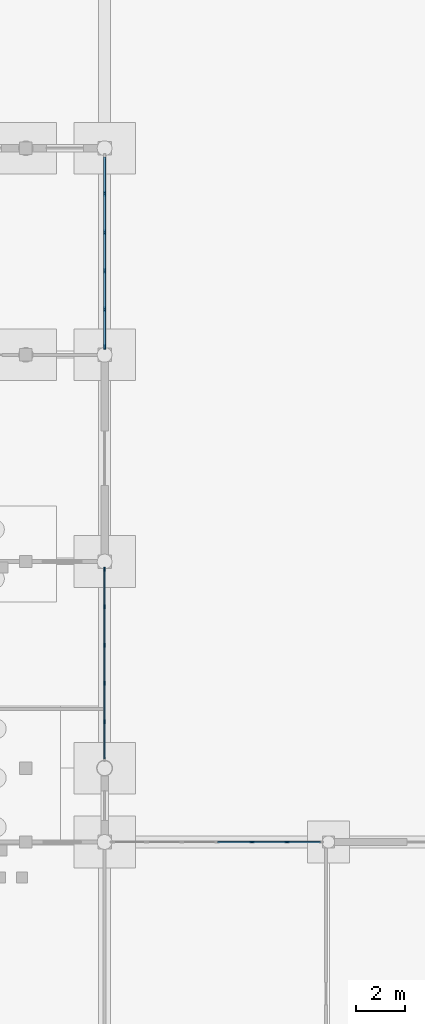
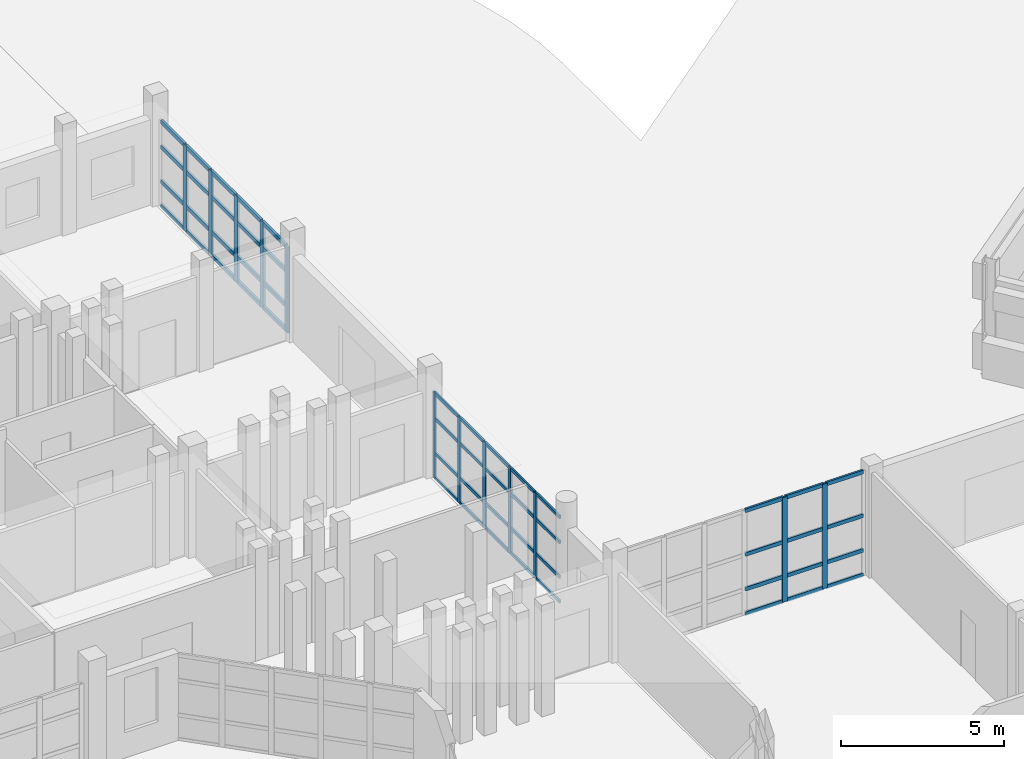
# One storey, part 34 of 88: 64 members, 3 elements without a shape of their own.
"""IFC4 building model written with IfcOpenShell, lengths in metres."""

from ifc_helpers import new_model, si_unit, direction, frame, origin, origin_2d, place, context, subcontext, project, spatial, rectangle, extrude, material, material_profile, profile_set, type_object, element, aggregate, save


model = new_model("IFC4")

# Units and contexts
model_context = context("Model", 3, precision=1e-05, world=origin(), true_north=direction((0.0, 1.0)))
body_context = subcontext(model_context, "Body", "Model", "MODEL_VIEW")
ifc_project = project(units=[si_unit("LENGTHUNIT", "METRE"), si_unit("AREAUNIT", "SQUARE_METRE"), si_unit("VOLUMEUNIT", "CUBIC_METRE"), si_unit("PLANEANGLEUNIT", "RADIAN"), si_unit("MASSUNIT", "GRAM", prefix="KILO")], contexts=[model_context])

# Site, building, storey
site_placement = place(None, origin())
site = spatial("IfcSite", under=ifc_project, at=site_placement, CompositionType="ELEMENT")
building_placement = place(site_placement, origin())
building = spatial("IfcBuilding", under=site, at=building_placement, Name="Vanh Quang Courtyard School", CompositionType="ELEMENT")
storey_placement = place(building_placement, origin())
storey = spatial("IfcBuildingStorey", under=building, at=storey_placement, Name="L00", CompositionType="ELEMENT", Elevation=0.0)

# Curtain wall, members
ifc_material_1 = material(Name="Thermally broken aluminium unitised curtain wall", Category="aluminium")
curtain_wall_type_1 = type_object("IfcCurtainWallType", Name="CW-SYS-01", PredefinedType="NOTDEFINED", material=ifc_material_1)
curtain_wall_1_placement = place(storey_placement, origin())
curtain_wall_1 = element("IfcCurtainWall", 1, at=curtain_wall_1_placement, inside=storey, type_object=curtain_wall_type_1, Name="Curtain Wall CW-01 (L00)", PredefinedType="NOTDEFINED")
ifc_material_2 = material(Name="Anodised aluminium 6063-T6", Category="aluminium")
ifc_material_profile_1 = material_profile(ifc_material_2, rectangle(XDim=0.06005859375, YDim=0.159912109375, at=origin_2d()), Name="ALU-MUL 60x160")
ifc_profile_set_1 = profile_set([ifc_material_profile_1], Name="Anodised aluminium 6063-T6")
member_type_1 = type_object("IfcMemberType", Name="CW-MUL-60x160", PredefinedType="MULLION", material=ifc_profile_set_1)
member_1_placement = place(storey_placement, frame((119.39990234375, 79.487060546875, 0.0), z_axis=(0.0, 0.0, 1.0), x_axis=(1.0, 0.0, 0.0)))
member_1 = element("IfcMember", 2, at=member_1_placement, type_object=member_type_1, Name="CW-01 mullion 1", PredefinedType="MULLION", context=body_context, shape_type="SweptSolid", body=[
    extrude(rectangle(XDim=0.06005859375, YDim=0.159912109375, at=origin_2d()), origin(), (0.0, 0.0, 1.0), 3.219970703125),
])
member_2_placement = place(storey_placement, frame((119.39990234375, 77.960205078125, 0.0), z_axis=(0.0, 0.0, 1.0), x_axis=(1.0, 0.0, 0.0)))
member_2 = element("IfcMember", 3, at=member_2_placement, type_object=member_type_1, Name="CW-01 mullion 2", PredefinedType="MULLION", context=body_context, shape_type="SweptSolid", body=[
    extrude(rectangle(XDim=0.06005859375, YDim=0.159912109375, at=origin_2d()), origin(), (0.0, 0.0, 1.0), 3.219970703125),
])
member_3_placement = place(storey_placement, frame((119.39990234375, 76.4033203125, 0.0), z_axis=(0.0, 0.0, 1.0), x_axis=(1.0, 0.0, 0.0)))
member_3 = element("IfcMember", 4, at=member_3_placement, type_object=member_type_1, Name="CW-01 mullion 3", PredefinedType="MULLION", context=body_context, shape_type="SweptSolid", body=[
    extrude(rectangle(XDim=0.06005859375, YDim=0.159912109375, at=origin_2d()), origin(), (0.0, 0.0, 1.0), 3.219970703125),
])
member_4_placement = place(storey_placement, frame((119.39990234375, 74.8466796875, 0.0), z_axis=(0.0, 0.0, 1.0), x_axis=(1.0, 0.0, 0.0)))
member_4 = element("IfcMember", 5, at=member_4_placement, type_object=member_type_1, Name="CW-01 mullion 4", PredefinedType="MULLION", context=body_context, shape_type="SweptSolid", body=[
    extrude(rectangle(XDim=0.06005859375, YDim=0.159912109375, at=origin_2d()), origin(), (0.0, 0.0, 1.0), 3.219970703125),
])
member_5_placement = place(storey_placement, frame((119.39990234375, 73.289794921875, 0.0), z_axis=(0.0, 0.0, 1.0), x_axis=(1.0, 0.0, 0.0)))
member_5 = element("IfcMember", 6, at=member_5_placement, type_object=member_type_1, Name="CW-01 mullion 5", PredefinedType="MULLION", context=body_context, shape_type="SweptSolid", body=[
    extrude(rectangle(XDim=0.06005859375, YDim=0.159912109375, at=origin_2d()), origin(), (0.0, 0.0, 1.0), 3.219970703125),
])

curtain_wall_type_2 = type_object("IfcCurtainWallType", Name="CW-SYS-03", PredefinedType="NOTDEFINED", material=ifc_material_1)
curtain_wall_2_placement = place(storey_placement, origin())
curtain_wall_2 = element("IfcCurtainWall", 7, at=curtain_wall_2_placement, inside=storey, type_object=curtain_wall_type_2, Name="Curtain Wall CW-03 (L00)", PredefinedType="NOTDEFINED")
ifc_material_profile_2 = material_profile(ifc_material_2, rectangle(XDim=0.070068359375, YDim=0.179931640625, at=origin_2d()), Name="ALU-MUL 70x180")
ifc_profile_set_2 = profile_set([ifc_material_profile_2], Name="Anodised aluminium 6063-T6")
member_type_2 = type_object("IfcMemberType", Name="CW-MUL-70x180", PredefinedType="MULLION", material=ifc_profile_set_2)
member_6_placement = place(storey_placement, frame((125.388916015625, 68.39990234375, 0.0), z_axis=(0.0, 0.0, 1.0), x_axis=(0.0, 1.0, 0.0)))
member_6 = element("IfcMember", 8, at=member_6_placement, type_object=member_type_2, Name="CW-03 mullion 5", PredefinedType="MULLION", context=body_context, shape_type="SweptSolid", body=[
    extrude(rectangle(XDim=0.070068359375, YDim=0.179931640625, at=origin_2d()), origin(), (0.0, 0.0, 1.0), 3.919921875),
])
member_7_placement = place(storey_placement, frame((126.8154296875, 68.39990234375, 0.0), z_axis=(0.0, 0.0, 1.0), x_axis=(0.0, 1.0, 0.0)))
member_7 = element("IfcMember", 9, at=member_7_placement, type_object=member_type_2, Name="CW-03 mullion 6", PredefinedType="MULLION", context=body_context, shape_type="SweptSolid", body=[
    extrude(rectangle(XDim=0.070068359375, YDim=0.179931640625, at=origin_2d()), origin(), (0.0, 0.0, 1.0), 3.919921875),
])

curtain_wall_3_placement = place(storey_placement, origin())
curtain_wall_3 = element("IfcCurtainWall", 10, at=curtain_wall_3_placement, inside=storey, type_object=curtain_wall_type_1, Name="Curtain Wall CW-01 (L00)", PredefinedType="NOTDEFINED")
ifc_material_profile_3 = material_profile(ifc_material_2, rectangle(XDim=0.080078125, YDim=0.199951171875, at=origin_2d()), Name="ALU-MUL 80x200")
ifc_profile_set_3 = profile_set([ifc_material_profile_3], Name="Anodised aluminium 6063-T6")
member_type_3 = type_object("IfcMemberType", Name="CW-MUL-80x200", PredefinedType="MULLION", material=ifc_profile_set_3)
member_8_placement = place(storey_placement, frame((119.39990234375, 94.750244140625, 0.0), z_axis=(0.0, 0.0, 1.0), x_axis=(1.0, 0.0, 0.0)))
member_8 = element("IfcMember", 11, at=member_8_placement, type_object=member_type_3, Name="CW-01 mullion 2", PredefinedType="MULLION", context=body_context, shape_type="SweptSolid", body=[
    extrude(rectangle(XDim=0.080078125, YDim=0.199951171875, at=origin_2d()), origin(), (0.0, 0.0, 1.0), 3.219970703125),
])
member_9_placement = place(storey_placement, frame((119.39990234375, 93.183349609375, 0.0), z_axis=(0.0, 0.0, 1.0), x_axis=(1.0, 0.0, 0.0)))
member_9 = element("IfcMember", 12, at=member_9_placement, type_object=member_type_3, Name="CW-01 mullion 3", PredefinedType="MULLION", context=body_context, shape_type="SweptSolid", body=[
    extrude(rectangle(XDim=0.080078125, YDim=0.199951171875, at=origin_2d()), origin(), (0.0, 0.0, 1.0), 3.219970703125),
])
member_10_placement = place(storey_placement, frame((119.39990234375, 91.61669921875, 0.0), z_axis=(0.0, 0.0, 1.0), x_axis=(1.0, 0.0, 0.0)))
member_10 = element("IfcMember", 13, at=member_10_placement, type_object=member_type_3, Name="CW-01 mullion 4", PredefinedType="MULLION", context=body_context, shape_type="SweptSolid", body=[
    extrude(rectangle(XDim=0.080078125, YDim=0.199951171875, at=origin_2d()), origin(), (0.0, 0.0, 1.0), 3.219970703125),
])
member_11_placement = place(storey_placement, frame((119.39990234375, 90.0498046875, 0.0), z_axis=(0.0, 0.0, 1.0), x_axis=(1.0, 0.0, 0.0)))
member_11 = element("IfcMember", 14, at=member_11_placement, type_object=member_type_3, Name="CW-01 mullion 5", PredefinedType="MULLION", context=body_context, shape_type="SweptSolid", body=[
    extrude(rectangle(XDim=0.080078125, YDim=0.199951171875, at=origin_2d()), origin(), (0.0, 0.0, 1.0), 3.219970703125),
])
member_12_placement = place(storey_placement, frame((119.39990234375, 88.52294921875, 0.0), z_axis=(0.0, 0.0, 1.0), x_axis=(1.0, 0.0, 0.0)))
member_12 = element("IfcMember", 15, at=member_12_placement, type_object=member_type_3, Name="CW-01 mullion 6", PredefinedType="MULLION", context=body_context, shape_type="SweptSolid", body=[
    extrude(rectangle(XDim=0.080078125, YDim=0.199951171875, at=origin_2d()), origin(), (0.0, 0.0, 1.0), 3.219970703125),
])

# Member
ifc_material_profile_4 = material_profile(ifc_material_2, rectangle(XDim=0.06005859375, YDim=0.1201171875, at=origin_2d()), Name="ALU-TRN 60x120")
ifc_profile_set_4 = profile_set([ifc_material_profile_4], Name="Anodised aluminium 6063-T6")
member_type_4 = type_object("IfcMemberType", Name="CW-TRN-60x120", PredefinedType="USERDEFINED", material=ifc_profile_set_4)
member_13_placement = place(storey_placement, frame((119.39990234375, 79.45703125, 0.030029296875), z_axis=(0.0, -1.0, 0.0), x_axis=(1.0, 0.0, 0.0)))
member_13 = element("IfcMember", 16, at=member_13_placement, type_object=member_type_4, Name="CW-01 transom 1.1", ObjectType="TRANSOM", PredefinedType="USERDEFINED", context=body_context, shape_type="SweptSolid", body=[
    extrude(rectangle(XDim=0.06005859375, YDim=0.1201171875, at=origin_2d()), origin(), (0.0, 0.0, 1.0), 1.466796875),
])

member_14_placement = place(storey_placement, frame((119.39990234375, 79.45703125, 0.949951171875), z_axis=(0.0, -1.0, 0.0), x_axis=(1.0, 0.0, 0.0)))
member_14 = element("IfcMember", 17, at=member_14_placement, type_object=member_type_4, Name="CW-01 transom 1.2", ObjectType="TRANSOM", PredefinedType="USERDEFINED", context=body_context, shape_type="SweptSolid", body=[
    extrude(rectangle(XDim=0.06005859375, YDim=0.1201171875, at=origin_2d()), origin(), (0.0, 0.0, 1.0), 1.466796875),
])

member_15_placement = place(storey_placement, frame((119.39990234375, 79.45703125, 2.25), z_axis=(0.0, -1.0, 0.0), x_axis=(1.0, 0.0, 0.0)))
member_15 = element("IfcMember", 18, at=member_15_placement, type_object=member_type_4, Name="CW-01 transom 1.3", ObjectType="TRANSOM", PredefinedType="USERDEFINED", context=body_context, shape_type="SweptSolid", body=[
    extrude(rectangle(XDim=0.06005859375, YDim=0.1201171875, at=origin_2d()), origin(), (0.0, 0.0, 1.0), 1.466796875),
])

member_16_placement = place(storey_placement, frame((119.39990234375, 79.45703125, 3.18994140625), z_axis=(0.0, -1.0, 0.0), x_axis=(1.0, 0.0, 0.0)))
member_16 = element("IfcMember", 19, at=member_16_placement, type_object=member_type_4, Name="CW-01 transom 1.4", ObjectType="TRANSOM", PredefinedType="USERDEFINED", context=body_context, shape_type="SweptSolid", body=[
    extrude(rectangle(XDim=0.06005859375, YDim=0.1201171875, at=origin_2d()), origin(), (0.0, 0.0, 1.0), 1.466796875),
])

member_17_placement = place(storey_placement, frame((119.39990234375, 77.93017578125, 0.030029296875), z_axis=(0.0, -1.0, 0.0), x_axis=(1.0, 0.0, 0.0)))
member_17 = element("IfcMember", 20, at=member_17_placement, type_object=member_type_4, Name="CW-01 transom 2.1", ObjectType="TRANSOM", PredefinedType="USERDEFINED", context=body_context, shape_type="SweptSolid", body=[
    extrude(rectangle(XDim=0.06005859375, YDim=0.1201171875, at=origin_2d()), origin(), (0.0, 0.0, 1.0), 1.496826171875),
])

member_18_placement = place(storey_placement, frame((119.39990234375, 77.93017578125, 0.949951171875), z_axis=(0.0, -1.0, 0.0), x_axis=(1.0, 0.0, 0.0)))
member_18 = element("IfcMember", 21, at=member_18_placement, type_object=member_type_4, Name="CW-01 transom 2.2", ObjectType="TRANSOM", PredefinedType="USERDEFINED", context=body_context, shape_type="SweptSolid", body=[
    extrude(rectangle(XDim=0.06005859375, YDim=0.1201171875, at=origin_2d()), origin(), (0.0, 0.0, 1.0), 1.496826171875),
])

member_19_placement = place(storey_placement, frame((119.39990234375, 77.93017578125, 2.25), z_axis=(0.0, -1.0, 0.0), x_axis=(1.0, 0.0, 0.0)))
member_19 = element("IfcMember", 22, at=member_19_placement, type_object=member_type_4, Name="CW-01 transom 2.3", ObjectType="TRANSOM", PredefinedType="USERDEFINED", context=body_context, shape_type="SweptSolid", body=[
    extrude(rectangle(XDim=0.06005859375, YDim=0.1201171875, at=origin_2d()), origin(), (0.0, 0.0, 1.0), 1.496826171875),
])

member_20_placement = place(storey_placement, frame((119.39990234375, 77.93017578125, 3.18994140625), z_axis=(0.0, -1.0, 0.0), x_axis=(1.0, 0.0, 0.0)))
member_20 = element("IfcMember", 23, at=member_20_placement, type_object=member_type_4, Name="CW-01 transom 2.4", ObjectType="TRANSOM", PredefinedType="USERDEFINED", context=body_context, shape_type="SweptSolid", body=[
    extrude(rectangle(XDim=0.06005859375, YDim=0.1201171875, at=origin_2d()), origin(), (0.0, 0.0, 1.0), 1.496826171875),
])

member_21_placement = place(storey_placement, frame((119.39990234375, 76.373291015625, 0.030029296875), z_axis=(0.0, -1.0, 0.0), x_axis=(1.0, 0.0, 0.0)))
member_21 = element("IfcMember", 24, at=member_21_placement, type_object=member_type_4, Name="CW-01 transom 3.1", ObjectType="TRANSOM", PredefinedType="USERDEFINED", context=body_context, shape_type="SweptSolid", body=[
    extrude(rectangle(XDim=0.06005859375, YDim=0.1201171875, at=origin_2d()), origin(), (0.0, 0.0, 1.0), 1.49658203125),
])

member_22_placement = place(storey_placement, frame((119.39990234375, 76.373291015625, 0.949951171875), z_axis=(0.0, -1.0, 0.0), x_axis=(1.0, 0.0, 0.0)))
member_22 = element("IfcMember", 25, at=member_22_placement, type_object=member_type_4, Name="CW-01 transom 3.2", ObjectType="TRANSOM", PredefinedType="USERDEFINED", context=body_context, shape_type="SweptSolid", body=[
    extrude(rectangle(XDim=0.06005859375, YDim=0.1201171875, at=origin_2d()), origin(), (0.0, 0.0, 1.0), 1.49658203125),
])

member_23_placement = place(storey_placement, frame((119.39990234375, 76.373291015625, 2.25), z_axis=(0.0, -1.0, 0.0), x_axis=(1.0, 0.0, 0.0)))
member_23 = element("IfcMember", 26, at=member_23_placement, type_object=member_type_4, Name="CW-01 transom 3.3", ObjectType="TRANSOM", PredefinedType="USERDEFINED", context=body_context, shape_type="SweptSolid", body=[
    extrude(rectangle(XDim=0.06005859375, YDim=0.1201171875, at=origin_2d()), origin(), (0.0, 0.0, 1.0), 1.49658203125),
])

member_24_placement = place(storey_placement, frame((119.39990234375, 76.373291015625, 3.18994140625), z_axis=(0.0, -1.0, 0.0), x_axis=(1.0, 0.0, 0.0)))
member_24 = element("IfcMember", 27, at=member_24_placement, type_object=member_type_4, Name="CW-01 transom 3.4", ObjectType="TRANSOM", PredefinedType="USERDEFINED", context=body_context, shape_type="SweptSolid", body=[
    extrude(rectangle(XDim=0.06005859375, YDim=0.1201171875, at=origin_2d()), origin(), (0.0, 0.0, 1.0), 1.49658203125),
])

member_25_placement = place(storey_placement, frame((119.39990234375, 74.816650390625, 0.030029296875), z_axis=(0.0, -1.0, 0.0), x_axis=(1.0, 0.0, 0.0)))
member_25 = element("IfcMember", 28, at=member_25_placement, type_object=member_type_4, Name="CW-01 transom 4.1", ObjectType="TRANSOM", PredefinedType="USERDEFINED", context=body_context, shape_type="SweptSolid", body=[
    extrude(rectangle(XDim=0.06005859375, YDim=0.1201171875, at=origin_2d()), origin(), (0.0, 0.0, 1.0), 1.496826171875),
])

member_26_placement = place(storey_placement, frame((119.39990234375, 74.816650390625, 0.949951171875), z_axis=(0.0, -1.0, 0.0), x_axis=(1.0, 0.0, 0.0)))
member_26 = element("IfcMember", 29, at=member_26_placement, type_object=member_type_4, Name="CW-01 transom 4.2", ObjectType="TRANSOM", PredefinedType="USERDEFINED", context=body_context, shape_type="SweptSolid", body=[
    extrude(rectangle(XDim=0.06005859375, YDim=0.1201171875, at=origin_2d()), origin(), (0.0, 0.0, 1.0), 1.496826171875),
])

member_27_placement = place(storey_placement, frame((119.39990234375, 74.816650390625, 2.25), z_axis=(0.0, -1.0, 0.0), x_axis=(1.0, 0.0, 0.0)))
member_27 = element("IfcMember", 30, at=member_27_placement, type_object=member_type_4, Name="CW-01 transom 4.3", ObjectType="TRANSOM", PredefinedType="USERDEFINED", context=body_context, shape_type="SweptSolid", body=[
    extrude(rectangle(XDim=0.06005859375, YDim=0.1201171875, at=origin_2d()), origin(), (0.0, 0.0, 1.0), 1.496826171875),
])

member_28_placement = place(storey_placement, frame((119.39990234375, 74.816650390625, 3.18994140625), z_axis=(0.0, -1.0, 0.0), x_axis=(1.0, 0.0, 0.0)))
member_28 = element("IfcMember", 31, at=member_28_placement, type_object=member_type_4, Name="CW-01 transom 4.4", ObjectType="TRANSOM", PredefinedType="USERDEFINED", context=body_context, shape_type="SweptSolid", body=[
    extrude(rectangle(XDim=0.06005859375, YDim=0.1201171875, at=origin_2d()), origin(), (0.0, 0.0, 1.0), 1.496826171875),
])

member_29_placement = place(storey_placement, frame((119.39990234375, 73.259765625, 0.030029296875), z_axis=(0.0, -1.0, 0.0), x_axis=(1.0, 0.0, 0.0)))
member_29 = element("IfcMember", 32, at=member_29_placement, type_object=member_type_4, Name="CW-01 transom 5.1", ObjectType="TRANSOM", PredefinedType="USERDEFINED", context=body_context, shape_type="SweptSolid", body=[
    extrude(rectangle(XDim=0.06005859375, YDim=0.1201171875, at=origin_2d()), origin(), (0.0, 0.0, 1.0), 1.466796875),
])

member_30_placement = place(storey_placement, frame((119.39990234375, 73.259765625, 0.949951171875), z_axis=(0.0, -1.0, 0.0), x_axis=(1.0, 0.0, 0.0)))
member_30 = element("IfcMember", 33, at=member_30_placement, type_object=member_type_4, Name="CW-01 transom 5.2", ObjectType="TRANSOM", PredefinedType="USERDEFINED", context=body_context, shape_type="SweptSolid", body=[
    extrude(rectangle(XDim=0.06005859375, YDim=0.1201171875, at=origin_2d()), origin(), (0.0, 0.0, 1.0), 1.466796875),
])

member_31_placement = place(storey_placement, frame((119.39990234375, 73.259765625, 2.25), z_axis=(0.0, -1.0, 0.0), x_axis=(1.0, 0.0, 0.0)))
member_31 = element("IfcMember", 34, at=member_31_placement, type_object=member_type_4, Name="CW-01 transom 5.3", ObjectType="TRANSOM", PredefinedType="USERDEFINED", context=body_context, shape_type="SweptSolid", body=[
    extrude(rectangle(XDim=0.06005859375, YDim=0.1201171875, at=origin_2d()), origin(), (0.0, 0.0, 1.0), 1.466796875),
])

member_32_placement = place(storey_placement, frame((119.39990234375, 73.259765625, 3.18994140625), z_axis=(0.0, -1.0, 0.0), x_axis=(1.0, 0.0, 0.0)))
member_32 = element("IfcMember", 35, at=member_32_placement, type_object=member_type_4, Name="CW-01 transom 5.4", ObjectType="TRANSOM", PredefinedType="USERDEFINED", context=body_context, shape_type="SweptSolid", body=[
    extrude(rectangle(XDim=0.06005859375, YDim=0.1201171875, at=origin_2d()), origin(), (0.0, 0.0, 1.0), 1.466796875),
])

aggregate(curtain_wall_1, [member_1, member_2, member_3, member_4, member_5, member_13, member_14, member_15, member_16, member_17, member_18, member_19, member_20, member_21, member_22, member_23, member_24, member_25, member_26, member_27, member_28, member_29, member_30, member_31, member_32])

ifc_material_profile_5 = material_profile(ifc_material_2, rectangle(XDim=0.070068359375, YDim=0.139892578125, at=origin_2d()), Name="ALU-TRN 70x140")
ifc_profile_set_5 = profile_set([ifc_material_profile_5], Name="Anodised aluminium 6063-T6")
member_type_5 = type_object("IfcMemberType", Name="CW-TRN-70x140", PredefinedType="USERDEFINED", material=ifc_profile_set_5)
member_33_placement = place(storey_placement, frame((123.99755859375, 68.39990234375, 0.034912109375), z_axis=(1.0, 0.0, 0.0), x_axis=(0.0, 1.0, 0.0)))
member_33 = element("IfcMember", 36, at=member_33_placement, type_object=member_type_5, Name="CW-03 transom 4.1", ObjectType="TRANSOM", PredefinedType="USERDEFINED", context=body_context, shape_type="SweptSolid", body=[
    extrude(rectangle(XDim=0.070068359375, YDim=0.139892578125, at=origin_2d()), origin(), (0.0, 0.0, 1.0), 1.3564453125),
])

member_34_placement = place(storey_placement, frame((123.99755859375, 68.39990234375, 0.949951171875), z_axis=(1.0, 0.0, 0.0), x_axis=(0.0, 1.0, 0.0)))
member_34 = element("IfcMember", 37, at=member_34_placement, type_object=member_type_5, Name="CW-03 transom 4.2", ObjectType="TRANSOM", PredefinedType="USERDEFINED", context=body_context, shape_type="SweptSolid", body=[
    extrude(rectangle(XDim=0.070068359375, YDim=0.139892578125, at=origin_2d()), origin(), (0.0, 0.0, 1.0), 1.3564453125),
])

member_35_placement = place(storey_placement, frame((123.99755859375, 68.39990234375, 2.25), z_axis=(1.0, 0.0, 0.0), x_axis=(0.0, 1.0, 0.0)))
member_35 = element("IfcMember", 38, at=member_35_placement, type_object=member_type_5, Name="CW-03 transom 4.3", ObjectType="TRANSOM", PredefinedType="USERDEFINED", context=body_context, shape_type="SweptSolid", body=[
    extrude(rectangle(XDim=0.070068359375, YDim=0.139892578125, at=origin_2d()), origin(), (0.0, 0.0, 1.0), 1.3564453125),
])

member_36_placement = place(storey_placement, frame((123.99755859375, 68.39990234375, 3.885009765625), z_axis=(1.0, 0.0, 0.0), x_axis=(0.0, 1.0, 0.0)))
member_36 = element("IfcMember", 39, at=member_36_placement, type_object=member_type_5, Name="CW-03 transom 4.4", ObjectType="TRANSOM", PredefinedType="USERDEFINED", context=body_context, shape_type="SweptSolid", body=[
    extrude(rectangle(XDim=0.070068359375, YDim=0.139892578125, at=origin_2d()), origin(), (0.0, 0.0, 1.0), 1.3564453125),
])

member_37_placement = place(storey_placement, frame((125.424072265625, 68.39990234375, 0.034912109375), z_axis=(1.0, 0.0, 0.0), x_axis=(0.0, 1.0, 0.0)))
member_37 = element("IfcMember", 40, at=member_37_placement, type_object=member_type_5, Name="CW-03 transom 5.1", ObjectType="TRANSOM", PredefinedType="USERDEFINED", context=body_context, shape_type="SweptSolid", body=[
    extrude(rectangle(XDim=0.070068359375, YDim=0.139892578125, at=origin_2d()), origin(), (0.0, 0.0, 1.0), 1.3564453125),
])

member_38_placement = place(storey_placement, frame((125.424072265625, 68.39990234375, 0.949951171875), z_axis=(1.0, 0.0, 0.0), x_axis=(0.0, 1.0, 0.0)))
member_38 = element("IfcMember", 41, at=member_38_placement, type_object=member_type_5, Name="CW-03 transom 5.2", ObjectType="TRANSOM", PredefinedType="USERDEFINED", context=body_context, shape_type="SweptSolid", body=[
    extrude(rectangle(XDim=0.070068359375, YDim=0.139892578125, at=origin_2d()), origin(), (0.0, 0.0, 1.0), 1.3564453125),
])

member_39_placement = place(storey_placement, frame((125.424072265625, 68.39990234375, 2.25), z_axis=(1.0, 0.0, 0.0), x_axis=(0.0, 1.0, 0.0)))
member_39 = element("IfcMember", 42, at=member_39_placement, type_object=member_type_5, Name="CW-03 transom 5.3", ObjectType="TRANSOM", PredefinedType="USERDEFINED", context=body_context, shape_type="SweptSolid", body=[
    extrude(rectangle(XDim=0.070068359375, YDim=0.139892578125, at=origin_2d()), origin(), (0.0, 0.0, 1.0), 1.3564453125),
])

member_40_placement = place(storey_placement, frame((125.424072265625, 68.39990234375, 3.885009765625), z_axis=(1.0, 0.0, 0.0), x_axis=(0.0, 1.0, 0.0)))
member_40 = element("IfcMember", 43, at=member_40_placement, type_object=member_type_5, Name="CW-03 transom 5.4", ObjectType="TRANSOM", PredefinedType="USERDEFINED", context=body_context, shape_type="SweptSolid", body=[
    extrude(rectangle(XDim=0.070068359375, YDim=0.139892578125, at=origin_2d()), origin(), (0.0, 0.0, 1.0), 1.3564453125),
])

member_41_placement = place(storey_placement, frame((126.8505859375, 68.39990234375, 0.034912109375), z_axis=(1.0, 0.0, 0.0), x_axis=(0.0, 1.0, 0.0)))
member_41 = element("IfcMember", 44, at=member_41_placement, type_object=member_type_5, Name="CW-03 transom 6.1", ObjectType="TRANSOM", PredefinedType="USERDEFINED", context=body_context, shape_type="SweptSolid", body=[
    extrude(rectangle(XDim=0.070068359375, YDim=0.139892578125, at=origin_2d()), origin(), (0.0, 0.0, 1.0), 1.321533203125),
])

member_42_placement = place(storey_placement, frame((126.8505859375, 68.39990234375, 0.949951171875), z_axis=(1.0, 0.0, 0.0), x_axis=(0.0, 1.0, 0.0)))
member_42 = element("IfcMember", 45, at=member_42_placement, type_object=member_type_5, Name="CW-03 transom 6.2", ObjectType="TRANSOM", PredefinedType="USERDEFINED", context=body_context, shape_type="SweptSolid", body=[
    extrude(rectangle(XDim=0.070068359375, YDim=0.139892578125, at=origin_2d()), origin(), (0.0, 0.0, 1.0), 1.321533203125),
])

member_43_placement = place(storey_placement, frame((126.8505859375, 68.39990234375, 2.25), z_axis=(1.0, 0.0, 0.0), x_axis=(0.0, 1.0, 0.0)))
member_43 = element("IfcMember", 46, at=member_43_placement, type_object=member_type_5, Name="CW-03 transom 6.3", ObjectType="TRANSOM", PredefinedType="USERDEFINED", context=body_context, shape_type="SweptSolid", body=[
    extrude(rectangle(XDim=0.070068359375, YDim=0.139892578125, at=origin_2d()), origin(), (0.0, 0.0, 1.0), 1.321533203125),
])

member_44_placement = place(storey_placement, frame((126.8505859375, 68.39990234375, 3.885009765625), z_axis=(1.0, 0.0, 0.0), x_axis=(0.0, 1.0, 0.0)))
member_44 = element("IfcMember", 47, at=member_44_placement, type_object=member_type_5, Name="CW-03 transom 6.4", ObjectType="TRANSOM", PredefinedType="USERDEFINED", context=body_context, shape_type="SweptSolid", body=[
    extrude(rectangle(XDim=0.070068359375, YDim=0.139892578125, at=origin_2d()), origin(), (0.0, 0.0, 1.0), 1.321533203125),
])

aggregate(curtain_wall_2, [member_6, member_7, member_33, member_34, member_35, member_36, member_37, member_38, member_39, member_40, member_41, member_42, member_43, member_44])

ifc_material_profile_6 = material_profile(ifc_material_2, rectangle(XDim=0.080078125, YDim=0.14990234375, at=origin_2d()), Name="ALU-TRN 80x150")
ifc_profile_set_6 = profile_set([ifc_material_profile_6], Name="Anodised aluminium 6063-T6")
member_type_6 = type_object("IfcMemberType", Name="CW-TRN-80x150", PredefinedType="USERDEFINED", material=ifc_profile_set_6)
member_45_placement = place(storey_placement, frame((119.39990234375, 96.237060546875, 0.0400390625), z_axis=(0.0, -1.0, 0.0), x_axis=(1.0, 0.0, 0.0)))
member_45 = element("IfcMember", 48, at=member_45_placement, type_object=member_type_6, Name="CW-01 transom 1.1", ObjectType="TRANSOM", PredefinedType="USERDEFINED", context=body_context, shape_type="SweptSolid", body=[
    extrude(rectangle(XDim=0.080078125, YDim=0.14990234375, at=origin_2d()), origin(), (0.0, 0.0, 1.0), 1.44677734375),
])

member_46_placement = place(storey_placement, frame((119.39990234375, 96.237060546875, 0.949951171875), z_axis=(0.0, -1.0, 0.0), x_axis=(1.0, 0.0, 0.0)))
member_46 = element("IfcMember", 49, at=member_46_placement, type_object=member_type_6, Name="CW-01 transom 1.2", ObjectType="TRANSOM", PredefinedType="USERDEFINED", context=body_context, shape_type="SweptSolid", body=[
    extrude(rectangle(XDim=0.080078125, YDim=0.14990234375, at=origin_2d()), origin(), (0.0, 0.0, 1.0), 1.44677734375),
])

member_47_placement = place(storey_placement, frame((119.39990234375, 96.237060546875, 2.25), z_axis=(0.0, -1.0, 0.0), x_axis=(1.0, 0.0, 0.0)))
member_47 = element("IfcMember", 50, at=member_47_placement, type_object=member_type_6, Name="CW-01 transom 1.3", ObjectType="TRANSOM", PredefinedType="USERDEFINED", context=body_context, shape_type="SweptSolid", body=[
    extrude(rectangle(XDim=0.080078125, YDim=0.14990234375, at=origin_2d()), origin(), (0.0, 0.0, 1.0), 1.44677734375),
])

member_48_placement = place(storey_placement, frame((119.39990234375, 96.237060546875, 3.179931640625), z_axis=(0.0, -1.0, 0.0), x_axis=(1.0, 0.0, 0.0)))
member_48 = element("IfcMember", 51, at=member_48_placement, type_object=member_type_6, Name="CW-01 transom 1.4", ObjectType="TRANSOM", PredefinedType="USERDEFINED", context=body_context, shape_type="SweptSolid", body=[
    extrude(rectangle(XDim=0.080078125, YDim=0.14990234375, at=origin_2d()), origin(), (0.0, 0.0, 1.0), 1.44677734375),
])

member_49_placement = place(storey_placement, frame((119.39990234375, 94.710205078125, 0.0400390625), z_axis=(0.0, -1.0, 0.0), x_axis=(1.0, 0.0, 0.0)))
member_49 = element("IfcMember", 52, at=member_49_placement, type_object=member_type_6, Name="CW-01 transom 2.1", ObjectType="TRANSOM", PredefinedType="USERDEFINED", context=body_context, shape_type="SweptSolid", body=[
    extrude(rectangle(XDim=0.080078125, YDim=0.14990234375, at=origin_2d()), origin(), (0.0, 0.0, 1.0), 1.48681640625),
])

member_50_placement = place(storey_placement, frame((119.39990234375, 94.710205078125, 0.949951171875), z_axis=(0.0, -1.0, 0.0), x_axis=(1.0, 0.0, 0.0)))
member_50 = element("IfcMember", 53, at=member_50_placement, type_object=member_type_6, Name="CW-01 transom 2.2", ObjectType="TRANSOM", PredefinedType="USERDEFINED", context=body_context, shape_type="SweptSolid", body=[
    extrude(rectangle(XDim=0.080078125, YDim=0.14990234375, at=origin_2d()), origin(), (0.0, 0.0, 1.0), 1.48681640625),
])

member_51_placement = place(storey_placement, frame((119.39990234375, 94.710205078125, 2.25), z_axis=(0.0, -1.0, 0.0), x_axis=(1.0, 0.0, 0.0)))
member_51 = element("IfcMember", 54, at=member_51_placement, type_object=member_type_6, Name="CW-01 transom 2.3", ObjectType="TRANSOM", PredefinedType="USERDEFINED", context=body_context, shape_type="SweptSolid", body=[
    extrude(rectangle(XDim=0.080078125, YDim=0.14990234375, at=origin_2d()), origin(), (0.0, 0.0, 1.0), 1.48681640625),
])

member_52_placement = place(storey_placement, frame((119.39990234375, 94.710205078125, 3.179931640625), z_axis=(0.0, -1.0, 0.0), x_axis=(1.0, 0.0, 0.0)))
member_52 = element("IfcMember", 55, at=member_52_placement, type_object=member_type_6, Name="CW-01 transom 2.4", ObjectType="TRANSOM", PredefinedType="USERDEFINED", context=body_context, shape_type="SweptSolid", body=[
    extrude(rectangle(XDim=0.080078125, YDim=0.14990234375, at=origin_2d()), origin(), (0.0, 0.0, 1.0), 1.48681640625),
])

member_53_placement = place(storey_placement, frame((119.39990234375, 93.143310546875, 0.0400390625), z_axis=(0.0, -1.0, 0.0), x_axis=(1.0, 0.0, 0.0)))
member_53 = element("IfcMember", 56, at=member_53_placement, type_object=member_type_6, Name="CW-01 transom 3.1", ObjectType="TRANSOM", PredefinedType="USERDEFINED", context=body_context, shape_type="SweptSolid", body=[
    extrude(rectangle(XDim=0.080078125, YDim=0.14990234375, at=origin_2d()), origin(), (0.0, 0.0, 1.0), 1.48681640625),
])

member_54_placement = place(storey_placement, frame((119.39990234375, 93.143310546875, 0.949951171875), z_axis=(0.0, -1.0, 0.0), x_axis=(1.0, 0.0, 0.0)))
member_54 = element("IfcMember", 57, at=member_54_placement, type_object=member_type_6, Name="CW-01 transom 3.2", ObjectType="TRANSOM", PredefinedType="USERDEFINED", context=body_context, shape_type="SweptSolid", body=[
    extrude(rectangle(XDim=0.080078125, YDim=0.14990234375, at=origin_2d()), origin(), (0.0, 0.0, 1.0), 1.48681640625),
])

member_55_placement = place(storey_placement, frame((119.39990234375, 93.143310546875, 2.25), z_axis=(0.0, -1.0, 0.0), x_axis=(1.0, 0.0, 0.0)))
member_55 = element("IfcMember", 58, at=member_55_placement, type_object=member_type_6, Name="CW-01 transom 3.3", ObjectType="TRANSOM", PredefinedType="USERDEFINED", context=body_context, shape_type="SweptSolid", body=[
    extrude(rectangle(XDim=0.080078125, YDim=0.14990234375, at=origin_2d()), origin(), (0.0, 0.0, 1.0), 1.48681640625),
])

member_56_placement = place(storey_placement, frame((119.39990234375, 93.143310546875, 3.179931640625), z_axis=(0.0, -1.0, 0.0), x_axis=(1.0, 0.0, 0.0)))
member_56 = element("IfcMember", 59, at=member_56_placement, type_object=member_type_6, Name="CW-01 transom 3.4", ObjectType="TRANSOM", PredefinedType="USERDEFINED", context=body_context, shape_type="SweptSolid", body=[
    extrude(rectangle(XDim=0.080078125, YDim=0.14990234375, at=origin_2d()), origin(), (0.0, 0.0, 1.0), 1.48681640625),
])

member_57_placement = place(storey_placement, frame((119.39990234375, 91.57666015625, 0.0400390625), z_axis=(0.0, -1.0, 0.0), x_axis=(1.0, 0.0, 0.0)))
member_57 = element("IfcMember", 60, at=member_57_placement, type_object=member_type_6, Name="CW-01 transom 4.1", ObjectType="TRANSOM", PredefinedType="USERDEFINED", context=body_context, shape_type="SweptSolid", body=[
    extrude(rectangle(XDim=0.080078125, YDim=0.14990234375, at=origin_2d()), origin(), (0.0, 0.0, 1.0), 1.48681640625),
])

member_58_placement = place(storey_placement, frame((119.39990234375, 91.57666015625, 0.949951171875), z_axis=(0.0, -1.0, 0.0), x_axis=(1.0, 0.0, 0.0)))
member_58 = element("IfcMember", 61, at=member_58_placement, type_object=member_type_6, Name="CW-01 transom 4.2", ObjectType="TRANSOM", PredefinedType="USERDEFINED", context=body_context, shape_type="SweptSolid", body=[
    extrude(rectangle(XDim=0.080078125, YDim=0.14990234375, at=origin_2d()), origin(), (0.0, 0.0, 1.0), 1.48681640625),
])

member_59_placement = place(storey_placement, frame((119.39990234375, 91.57666015625, 2.25), z_axis=(0.0, -1.0, 0.0), x_axis=(1.0, 0.0, 0.0)))
member_59 = element("IfcMember", 62, at=member_59_placement, type_object=member_type_6, Name="CW-01 transom 4.3", ObjectType="TRANSOM", PredefinedType="USERDEFINED", context=body_context, shape_type="SweptSolid", body=[
    extrude(rectangle(XDim=0.080078125, YDim=0.14990234375, at=origin_2d()), origin(), (0.0, 0.0, 1.0), 1.48681640625),
])

member_60_placement = place(storey_placement, frame((119.39990234375, 91.57666015625, 3.179931640625), z_axis=(0.0, -1.0, 0.0), x_axis=(1.0, 0.0, 0.0)))
member_60 = element("IfcMember", 63, at=member_60_placement, type_object=member_type_6, Name="CW-01 transom 4.4", ObjectType="TRANSOM", PredefinedType="USERDEFINED", context=body_context, shape_type="SweptSolid", body=[
    extrude(rectangle(XDim=0.080078125, YDim=0.14990234375, at=origin_2d()), origin(), (0.0, 0.0, 1.0), 1.48681640625),
])

member_61_placement = place(storey_placement, frame((119.39990234375, 90.009765625, 0.0400390625), z_axis=(0.0, -1.0, 0.0), x_axis=(1.0, 0.0, 0.0)))
member_61 = element("IfcMember", 64, at=member_61_placement, type_object=member_type_6, Name="CW-01 transom 5.1", ObjectType="TRANSOM", PredefinedType="USERDEFINED", context=body_context, shape_type="SweptSolid", body=[
    extrude(rectangle(XDim=0.080078125, YDim=0.14990234375, at=origin_2d()), origin(), (0.0, 0.0, 1.0), 1.44677734375),
])

member_62_placement = place(storey_placement, frame((119.39990234375, 90.009765625, 0.949951171875), z_axis=(0.0, -1.0, 0.0), x_axis=(1.0, 0.0, 0.0)))
member_62 = element("IfcMember", 65, at=member_62_placement, type_object=member_type_6, Name="CW-01 transom 5.2", ObjectType="TRANSOM", PredefinedType="USERDEFINED", context=body_context, shape_type="SweptSolid", body=[
    extrude(rectangle(XDim=0.080078125, YDim=0.14990234375, at=origin_2d()), origin(), (0.0, 0.0, 1.0), 1.44677734375),
])

member_63_placement = place(storey_placement, frame((119.39990234375, 90.009765625, 2.25), z_axis=(0.0, -1.0, 0.0), x_axis=(1.0, 0.0, 0.0)))
member_63 = element("IfcMember", 66, at=member_63_placement, type_object=member_type_6, Name="CW-01 transom 5.3", ObjectType="TRANSOM", PredefinedType="USERDEFINED", context=body_context, shape_type="SweptSolid", body=[
    extrude(rectangle(XDim=0.080078125, YDim=0.14990234375, at=origin_2d()), origin(), (0.0, 0.0, 1.0), 1.44677734375),
])

member_64_placement = place(storey_placement, frame((119.39990234375, 90.009765625, 3.179931640625), z_axis=(0.0, -1.0, 0.0), x_axis=(1.0, 0.0, 0.0)))
member_64 = element("IfcMember", 67, at=member_64_placement, type_object=member_type_6, Name="CW-01 transom 5.4", ObjectType="TRANSOM", PredefinedType="USERDEFINED", context=body_context, shape_type="SweptSolid", body=[
    extrude(rectangle(XDim=0.080078125, YDim=0.14990234375, at=origin_2d()), origin(), (0.0, 0.0, 1.0), 1.44677734375),
])

aggregate(curtain_wall_3, [member_8, member_9, member_10, member_11, member_12, member_45, member_46, member_47, member_48, member_49, member_50, member_51, member_52, member_53, member_54, member_55, member_56, member_57, member_58, member_59, member_60, member_61, member_62, member_63, member_64])

save(model, "model.ifc")
